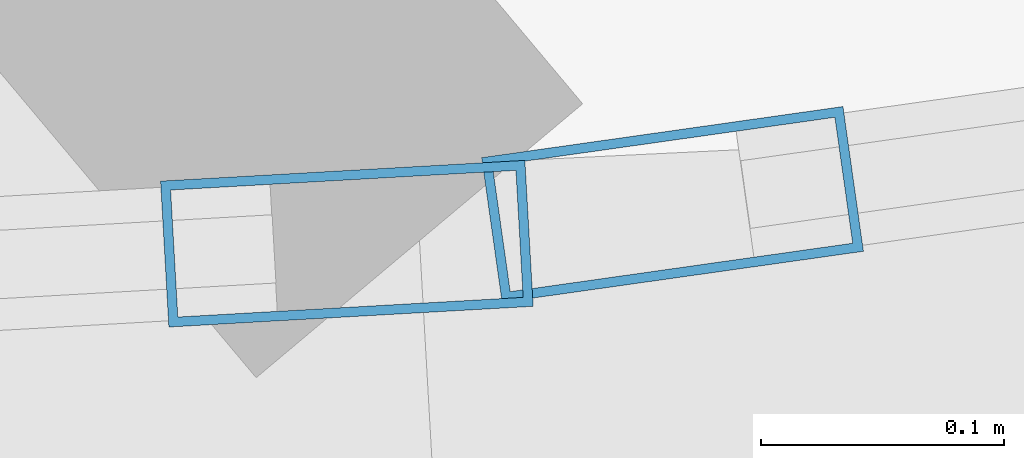
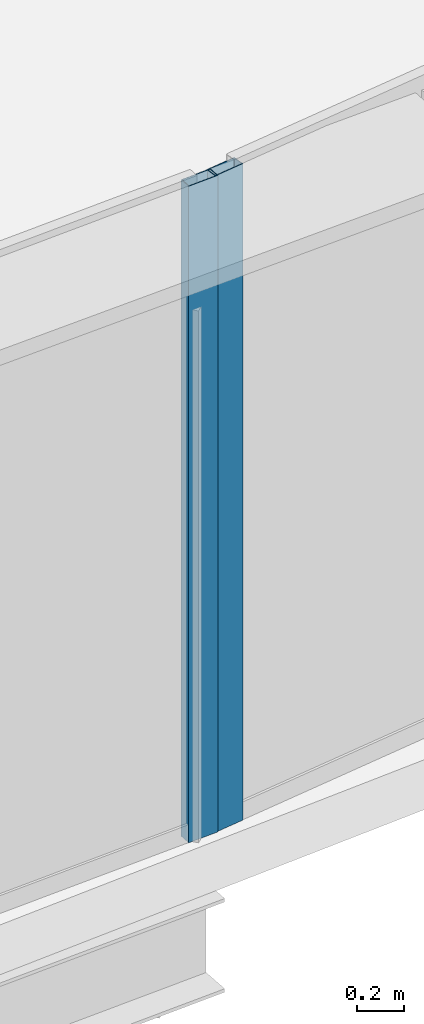
# One storey, part 14 of 42: 2 members, 2 elements without a shape of their own.
"""IFC4 building model written with IfcOpenShell, lengths in metres."""

from ifc_helpers import new_model, si_unit, direction, frame, origin, origin_2d, place, context, subcontext, project, spatial, hollow_rectangle, extrude, source, transform, mapped, material, layer, layer_set, material_profile, profile_set, type_object, element, aggregate, save


model = new_model("IFC4")

# Units and contexts
model_context = context("Model", 3, precision=1e-05, world=origin(), true_north=direction((0.0, 1.0)))
body_context = subcontext(model_context, "Body", "Model", "MODEL_VIEW")
ifc_project = project(units=[si_unit("LENGTHUNIT", "METRE"), si_unit("AREAUNIT", "SQUARE_METRE"), si_unit("VOLUMEUNIT", "CUBIC_METRE"), si_unit("PLANEANGLEUNIT", "RADIAN"), si_unit("MASSUNIT", "GRAM", prefix="KILO"), si_unit("THERMODYNAMICTEMPERATUREUNIT", "KELVIN"), si_unit("POWERUNIT", "WATT")], contexts=[model_context])

# Site, building, storey
site_placement = place(None, origin())
site = spatial("IfcSite", under=ifc_project, at=site_placement, CompositionType="ELEMENT")
building_placement = place(site_placement, origin())
building = spatial("IfcBuilding", under=site, at=building_placement, Name="Yunzhuo Pagoda Commons", CompositionType="ELEMENT")
storey_placement = place(building_placement, frame((0.0, 0.0, 133.510009765625)))
storey = spatial("IfcBuildingStorey", under=building, at=storey_placement, Name="L33", CompositionType="ELEMENT", Elevation=133.510009765625)

# Curtain wall, member
ifc_material = material(Name="Anodized aluminium 6063-T6", Category="aluminium")
ifc_layer = layer(ifc_material, 0.14990234375)
ifc_layer_set = layer_set([ifc_layer], Name="Anodized aluminium 6063-T6")
curtain_wall_type = type_object("IfcCurtainWallType", Name="CW-MID Mid-Zone Ribbon Curtain Wall", PredefinedType="NOTDEFINED", material=ifc_layer_set)
curtain_wall_1_placement = place(storey_placement, origin())
curtain_wall_1 = element("IfcCurtainWall", 1, at=curtain_wall_1_placement, inside=storey, type_object=curtain_wall_type, Name="L33 curtain wall CW-L33-F1B4", PredefinedType="NOTDEFINED")
ifc_material_profile = material_profile(ifc_material, hollow_rectangle(XDim=0.06005859375, YDim=0.14990234375, WallThickness=0.00390625, at=origin_2d()), Name="Anodized aluminium 6063-T6")
ifc_profile_set = profile_set([ifc_material_profile], Name="Anodized aluminium 6063-T6")
member_type = type_object("IfcMemberType", Name="CW-MID-M Mullion RHS 150x60x4", PredefinedType="MULLION", material=ifc_profile_set)
shared_shape = source(origin(), body_context, "Body", "SweptSolid", [
    extrude(hollow_rectangle(XDim=0.06005859375, YDim=0.14990234375, WallThickness=0.00390625, at=origin_2d()), origin(), (0.0, 0.0, 1.0), 3.419921875),
])
member_1_placement = place(storey_placement, frame((64.868408203125, 13.56005859375, 0.0), z_axis=(0.0, 0.0, 1.0), x_axis=(-0.056741862165, 0.99838888269, 0.0)))
member_1 = element("IfcMember", 2, at=member_1_placement, type_object=member_type, Name="CW mullion 2", PredefinedType="MULLION", context=body_context, shape_type="MappedRepresentation", body=[
    mapped(shared_shape, transform((0.0, 0.0, 0.0), scale=1.0)),
])
aggregate(curtain_wall_1, [member_1])

curtain_wall_2_placement = place(storey_placement, origin())
curtain_wall_2 = element("IfcCurtainWall", 3, at=curtain_wall_2_placement, inside=storey, type_object=curtain_wall_type, Name="L33 curtain wall CW-L33-F1B5", PredefinedType="NOTDEFINED")
member_2_placement = place(storey_placement, frame((65.002197265625, 13.576171875, 0.0), z_axis=(0.0, 0.0, 1.0), x_axis=(-0.140026939768, 0.990147694104, 0.0)))
member_2 = element("IfcMember", 4, at=member_2_placement, type_object=member_type, Name="CW mullion 1", PredefinedType="MULLION", context=body_context, shape_type="MappedRepresentation", body=[
    mapped(shared_shape, transform((0.0, 0.0, 0.0), scale=1.0)),
])
aggregate(curtain_wall_2, [member_2])

save(model, "model.ifc")
